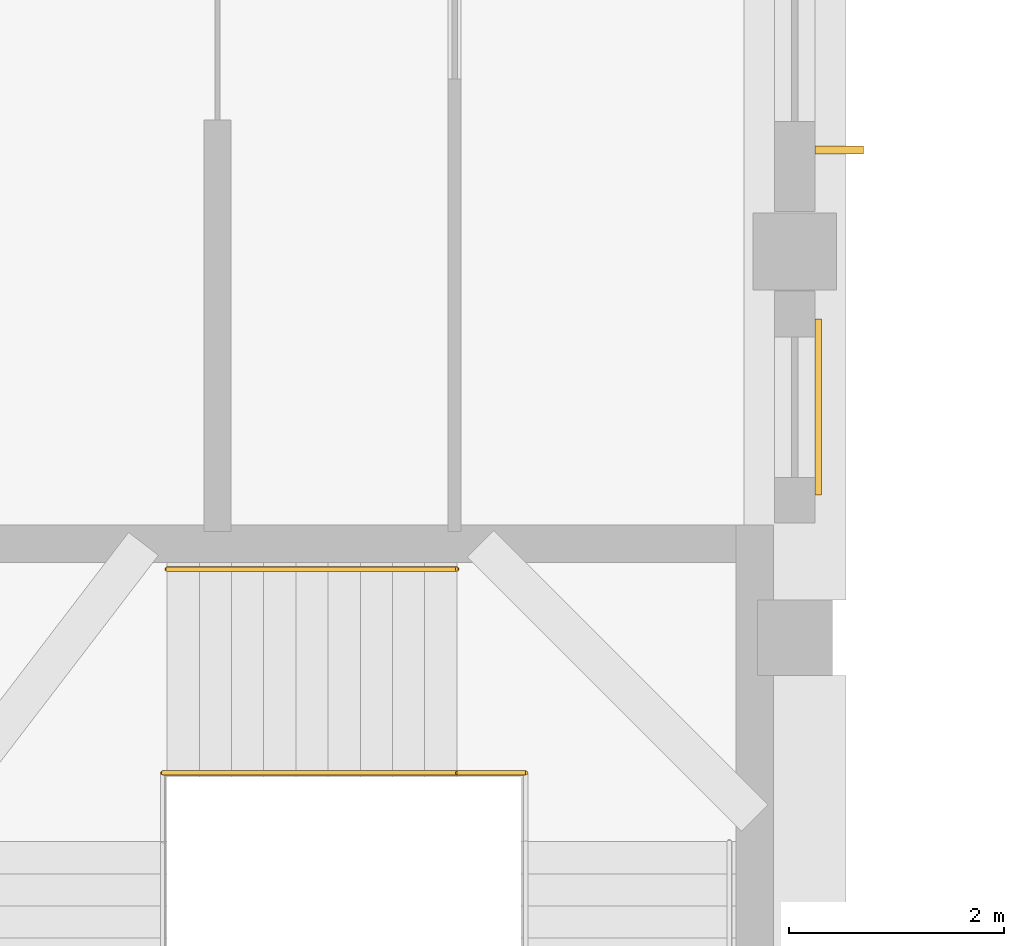
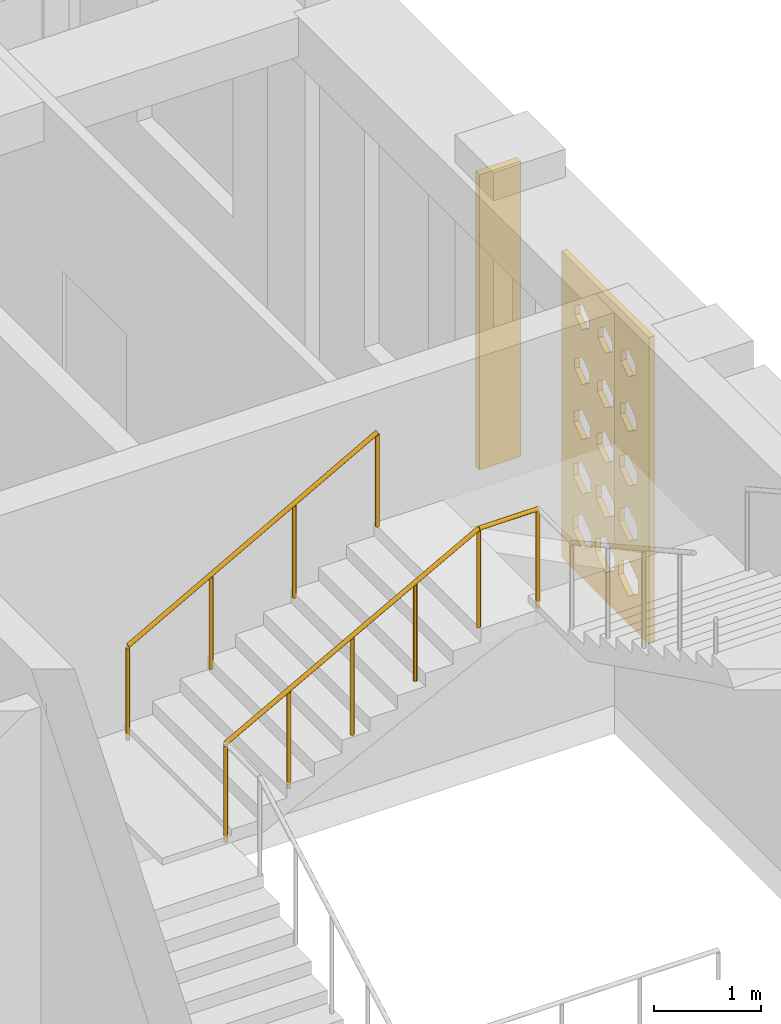
# One storey, part 68 of 79: 2 railings, 1 covering, 1 shading device.
"""IFC4 building model written with IfcOpenShell, lengths in metres."""

from ifc_helpers import new_model, si_unit, derived_unit, direction, frame, origin, origin_2d, place, context, subcontext, project, spatial, polyline, rectangle, circle, outline, extrude, material, layer, layer_set, type_object, element, save


model = new_model("IFC4")

# Units and contexts
model_context = context("Model", 3, precision=1e-05, world=origin(), true_north=direction((0.0, 1.0)))
body_context = subcontext(model_context, "Body", "Model", "MODEL_VIEW")
ifc_project = project(units=[si_unit("LENGTHUNIT", "METRE"), si_unit("AREAUNIT", "SQUARE_METRE"), si_unit("VOLUMEUNIT", "CUBIC_METRE"), si_unit("PLANEANGLEUNIT", "RADIAN"), si_unit("MASSUNIT", "GRAM", prefix="KILO"), derived_unit("THERMALTRANSMITTANCEUNIT", [(si_unit("POWERUNIT", "WATT"), 1), (si_unit("LENGTHUNIT", "METRE"), -2), (si_unit("THERMODYNAMICTEMPERATUREUNIT", "KELVIN"), -1)])], contexts=[model_context])

# Site, building, storey
site_placement = place(None, origin())
site = spatial("IfcSite", under=ifc_project, at=site_placement, CompositionType="ELEMENT")
building_placement = place(site_placement, origin())
building = spatial("IfcBuilding", under=site, at=building_placement, Name="Veybourne Emporium", CompositionType="ELEMENT")
storey_placement = place(building_placement, frame((0.0, 0.0, 18.89990234375)))
storey = spatial("IfcBuildingStorey", under=building, at=storey_placement, Name="L04", CompositionType="ELEMENT", Elevation=18.89990234375)

# Railings
ifc_material_1 = material(Name="Brushed Stainless Steel", Category="steel")
railing_type_1 = type_object("IfcRailingType", Name="Guard_GR-01", PredefinedType="GUARDRAIL", material=ifc_material_1)
railing_1_placement = place(storey_placement, frame((94.909912109375, 56.340087890625, 1.5)))
element("IfcRailing", 1, at=railing_1_placement, inside=storey, type_object=railing_type_1, Name="L04 ST-07 stair guard 2", PredefinedType="GUARDRAIL", context=body_context, shape_type="SweptSolid", body=[
    extrude(circle(Radius=0.02392578125, at=origin_2d()), frame((0.0, 0.0, 1.1259765625), z_axis=(0.87715976088, 0.0, 0.480198660861), x_axis=(0.0, 1.0, 0.0)), (0.0, 0.0, 1.0), 3.123779296875),
    extrude(circle(Radius=0.02392578125, at=origin_2d()), frame((2.739990234375, 0.0, 2.6259765625), z_axis=(1.0, 0.0, 0.0), x_axis=(0.0, 1.0, 0.0)), (0.0, 0.0, 1.0), 0.64013671875),
    extrude(circle(Radius=0.02099609375, at=origin_2d()), origin(), (0.0, 0.0, 1.0), 1.101806640625),
    extrude(circle(Radius=0.02099609375, at=origin_2d()), frame((0.68505859375, 0.0, 0.375)), (0.0, 0.0, 1.0), 1.101806640625),
    extrude(circle(Radius=0.02099609375, at=origin_2d()), frame((1.3701171875, 0.0, 0.75)), (0.0, 0.0, 1.0), 1.101806640625),
    extrude(circle(Radius=0.02099609375, at=origin_2d()), frame((2.054931640625, 0.0, 1.125)), (0.0, 0.0, 1.0), 1.101806640625),
    extrude(circle(Radius=0.02099609375, at=origin_2d()), frame((2.739990234375, 0.0, 1.5)), (0.0, 0.0, 1.0), 1.101806640625),
    extrude(circle(Radius=0.02099609375, at=origin_2d()), frame((3.380126953125, 0.0, 1.5)), (0.0, 0.0, 1.0), 1.101806640625),
])
railing_type_2 = type_object("IfcRailingType", Name="Handrail_HR-01", PredefinedType="HANDRAIL", material=ifc_material_1)
railing_2_placement = place(storey_placement, frame((94.949951171875, 58.239990234375, 1.650146484375)))
element("IfcRailing", 2, at=railing_2_placement, inside=storey, type_object=railing_type_2, Name="L04 ST-07 pitch handrail 2", PredefinedType="HANDRAIL", context=body_context, shape_type="SweptSolid", body=[
    extrude(circle(Radius=0.02392578125, at=origin_2d()), frame((0.0, 0.0, 0.92578125), z_axis=(0.87415354758, 0.0, 0.485649642493), x_axis=(0.0, 1.0, 0.0)), (0.0, 0.0, 1.0), 3.088623046875),
    extrude(circle(Radius=0.02099609375, at=origin_2d()), frame((0.0, 0.0, -0.14990234375)), (0.0, 0.0, 1.0), 1.0517578125),
    extrude(circle(Radius=0.02099609375, at=origin_2d()), frame((0.89990234375, 0.0, 0.35009765625)), (0.0, 0.0, 1.0), 1.0517578125),
    extrude(circle(Radius=0.02099609375, at=origin_2d()), frame((1.800048828125, 0.0, 0.85009765625)), (0.0, 0.0, 1.0), 1.0517578125),
    extrude(circle(Radius=0.02099609375, at=origin_2d()), frame((2.699951171875, 0.0, 1.35009765625)), (0.0, 0.0, 1.0), 1.0517578125),
])

# Shading device
ifc_material_2 = material(Name="Patinated Architectural Bronze", Category="bronze")
shading_device_type = type_object("IfcShadingDeviceType", Name="SolarFin_FIN-02", PredefinedType="USERDEFINED", material=ifc_material_2)
shading_device_placement = place(storey_placement, frame((101.214111328125, 62.14599609375, 0.125244140625), z_axis=(0.0, 0.0, 1.0), x_axis=(0.0, -1.0, 0.0)))
element("IfcShadingDevice", 3, at=shading_device_placement, inside=storey, type_object=shading_device_type, Name="L04 bronze brise-soleil fin FIN-02 (52A.2)", ObjectType="FIN", PredefinedType="USERDEFINED", context=body_context, shape_type="SweptSolid", body=[
    extrude(rectangle(XDim=0.074951171875, YDim=0.449951171875, at=origin_2d()), origin(), (0.0, 0.0, 1.0), 3.3798828125),
])

# Covering
ifc_material_3 = material(Name="Warm-White Perforated Aluminium Screen Alloy", Category="aluminium")
ifc_layer = layer(ifc_material_3, 0.06005859375)
ifc_layer_set = layer_set([ifc_layer], Name="Warm-White Perforated Aluminium Screen Alloy")
covering_type = type_object("IfcCoveringType", Name="WaveScreen_SCR-02", PredefinedType="CLADDING", material=ifc_layer_set)
covering_placement = place(storey_placement, frame((101.048095703125, 59.75, 1.815185546875), z_axis=(-1.0, 0.0, 0.0), x_axis=(0.0, -1.0, 0.0)))
element("IfcCovering", 4, at=covering_placement, inside=storey, type_object=covering_type, Name="L04 wave-perforated aluminium screen SCR-02 (52B.1)", PredefinedType="CLADDING", context=body_context, shape_type="SweptSolid", body=[
    extrude(outline(polyline([(-0.81982421875, -1.7548828125), (0.81982421875, -1.7548828125), (0.81982421875, 1.7548828125), (-0.81982421875, 1.7548828125), (-0.81982421875, -1.7548828125)]), holes=[polyline([(-0.433349609375, -1.028564453125), (-0.260009765625, -1.15625), (-0.260009765625, -1.2998046875), (-0.433349609375, -1.427490234375), (-0.606689453125, -1.2998046875), (-0.606689453125, -1.15625), (-0.433349609375, -1.028564453125)]), polyline([(-0.433349609375, -0.4287109375), (-0.271728515625, -0.54736328125), (-0.271728515625, -0.6806640625), (-0.433349609375, -0.79931640625), (-0.594970703125, -0.6806640625), (-0.594970703125, -0.54736328125), (-0.433349609375, -0.4287109375)]), polyline([(-0.433349609375, 0.17138671875), (-0.283203125, 0.061767578125), (-0.283203125, -0.061767578125), (-0.433349609375, -0.17138671875), (-0.58349609375, -0.061767578125), (-0.58349609375, 0.061767578125), (-0.433349609375, 0.17138671875)]), polyline([(-0.433349609375, 0.77197265625), (-0.2939453125, 0.6708984375), (-0.2939453125, 0.55712890625), (-0.433349609375, 0.4560546875), (-0.572509765625, 0.55712890625), (-0.572509765625, 0.6708984375), (-0.433349609375, 0.77197265625)]), polyline([(-0.433349609375, 1.373779296875), (-0.30419921875, 1.280517578125), (-0.30419921875, 1.175537109375), (-0.433349609375, 1.082275390625), (-0.5625, 1.175537109375), (-0.5625, 1.280517578125), (-0.433349609375, 1.373779296875)]), polyline([(0.0, -1.022216796875), (0.178466796875, -1.15380859375), (0.178466796875, -1.302001953125), (0.0, -1.433837890625), (-0.178466796875, -1.302001953125), (-0.178466796875, -1.15380859375), (0.0, -1.022216796875)]), polyline([(0.0, -0.422119140625), (0.1669921875, -0.544921875), (0.1669921875, -0.68310546875), (0.0, -0.805908203125), (-0.1669921875, -0.68310546875), (-0.1669921875, -0.544921875), (0.0, -0.422119140625)]), polyline([(0.0, 0.177734375), (0.155517578125, 0.06396484375), (0.155517578125, -0.06396484375), (0.0, -0.177734375), (-0.155517578125, -0.06396484375), (-0.155517578125, 0.06396484375), (0.0, 0.177734375)]), polyline([(0.0, 0.778076171875), (0.144287109375, 0.673095703125), (0.144287109375, 0.554931640625), (0.0, 0.449951171875), (-0.144287109375, 0.554931640625), (-0.144287109375, 0.673095703125), (0.0, 0.778076171875)]), polyline([(0.0, 1.379150390625), (0.1337890625, 1.282470703125), (0.1337890625, 1.173583984375), (0.0, 1.076904296875), (-0.1337890625, 1.173583984375), (-0.1337890625, 1.282470703125), (0.0, 1.379150390625)]), polyline([(0.433349609375, -1.015869140625), (0.616943359375, -1.151611328125), (0.616943359375, -1.304443359375), (0.433349609375, -1.440185546875), (0.249755859375, -1.304443359375), (0.249755859375, -1.151611328125), (0.433349609375, -1.015869140625)]), polyline([(0.433349609375, -0.415771484375), (0.60546875, -0.542724609375), (0.60546875, -0.685302734375), (0.433349609375, -0.812255859375), (0.26123046875, -0.685302734375), (0.26123046875, -0.542724609375), (0.433349609375, -0.415771484375)]), polyline([(0.433349609375, 0.18408203125), (0.593994140625, 0.066162109375), (0.593994140625, -0.066162109375), (0.433349609375, -0.18408203125), (0.272705078125, -0.066162109375), (0.272705078125, 0.066162109375), (0.433349609375, 0.18408203125)]), polyline([(0.433349609375, 0.7841796875), (0.58251953125, 0.67529296875), (0.58251953125, 0.552734375), (0.433349609375, 0.44384765625), (0.2841796875, 0.552734375), (0.2841796875, 0.67529296875), (0.433349609375, 0.7841796875)]), polyline([(0.433349609375, 1.385009765625), (0.57177734375, 1.284423828125), (0.57177734375, 1.17138671875), (0.433349609375, 1.071044921875), (0.294921875, 1.17138671875), (0.294921875, 1.284423828125), (0.433349609375, 1.385009765625)])]), origin(), (0.0, 0.0, 1.0), 0.06005859375),
])

save(model, "model.ifc")
